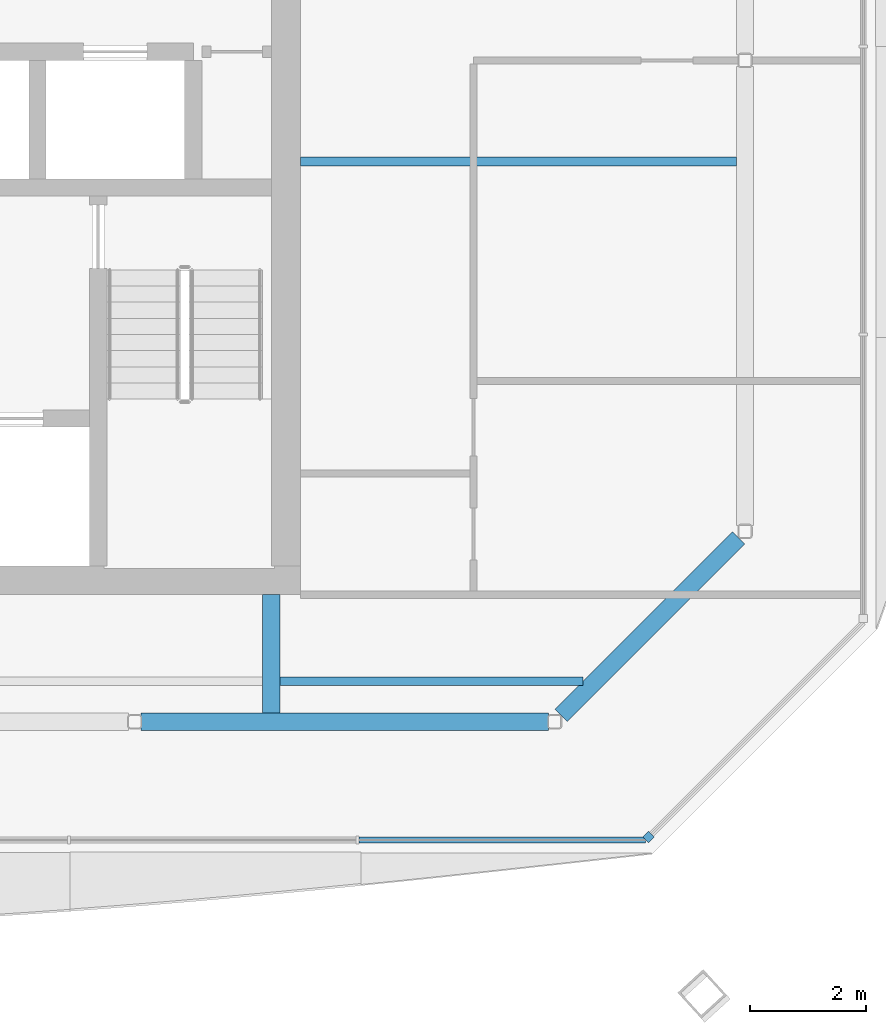
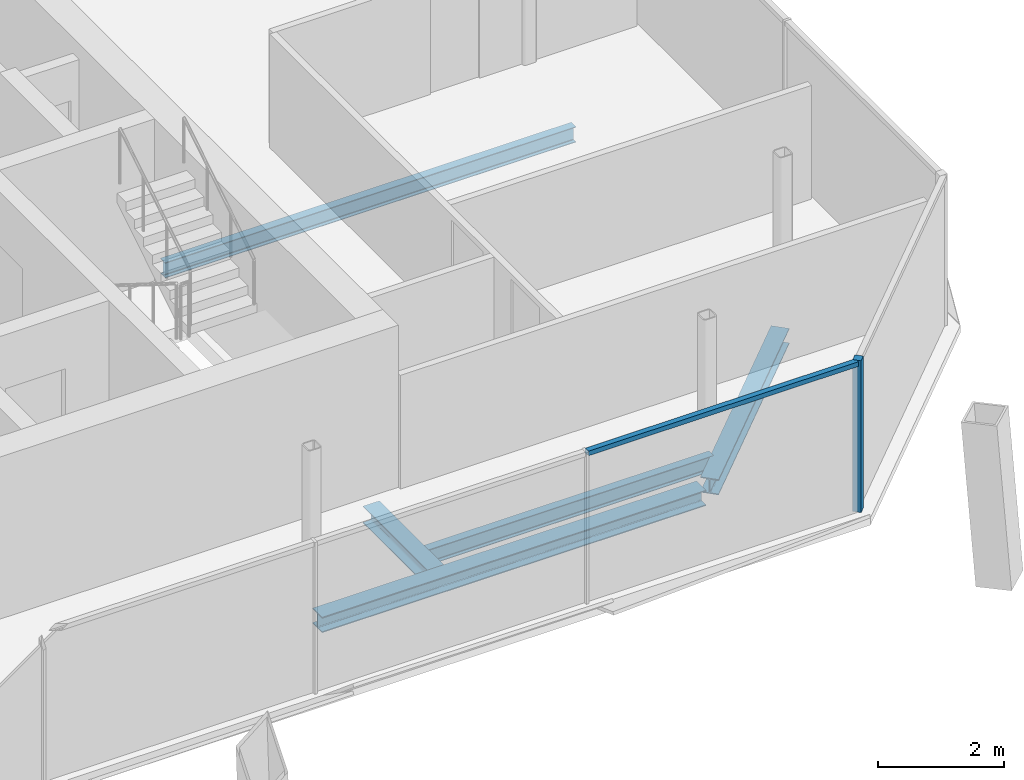
# One storey, part 4 of 14: 5 beams, 2 members, 2 elements without a shape of their own.
"""IFC4 building model written with IfcOpenShell, lengths in metres."""

import ifcopenshell
import ifcopenshell.guid

model = None  # the IFC model being written
_history = None  # IfcOwnerHistory: only IFC2X3 demands one
_inside = {}  # id of a spatial element -> (the spatial element, [elements in it])
_under = {}  # id of a project, library or spatial element -> (it, [spatial elements below it])
_declared = {}  # id of a project -> (the project, [libraries it declares])
_typed = {}  # id of a type object -> (the type object, [elements of that type])
_made_of = {}  # id of a material, layer set ... -> (it, [elements and type objects made of it])


def new_model(schema):
    """Start an empty IFC model of exactly this schema.

    Asked for "IFC4X3", IfcOpenShell would pick the latest addendum, in which some entities
    have other attributes; the version numbers below select the first issue.
    IFC2X3 requires an IfcOwnerHistory on every rooted entity: one is made here for all.
    """
    global model, _history
    if schema == "IFC4X3":
        model = ifcopenshell.file(schema_version=(4, 3, 0, 0))
    else:
        model = ifcopenshell.file(schema=schema)
    _inside.clear()
    _under.clear()
    _declared.clear()
    _typed.clear()
    _made_of.clear()
    _history = None
    if model.schema == "IFC2X3":
        org = make("IfcOrganization", Name="unknown")
        user = make(
            "IfcPersonAndOrganization",
            ThePerson=make("IfcPerson", FamilyName="unknown"),
            TheOrganization=org,
        )
        app = make(
            "IfcApplication",
            ApplicationDeveloper=org,
            Version="unknown",
            ApplicationFullName="unknown",
            ApplicationIdentifier="unknown",
        )
        _history = make(
            "IfcOwnerHistory",
            OwningUser=user,
            OwningApplication=app,
            ChangeAction="ADDED",
            CreationDate=0,
        )
    return model


def make(cls, **values):
    """One entity of the class cls with the attributes given. An attribute that is None is left unset."""
    return model.create_entity(
        cls, **{name: value for name, value in values.items() if value is not None}
    )


def rooted(cls, **values):
    """An entity with a GlobalId (a new one), such as an element, a storey or a relation."""
    return make(cls, GlobalId=ifcopenshell.guid.new(), OwnerHistory=_history, **values)


def si_unit(unit_type, name, prefix=None):
    """IfcSIUnit, for example si_unit("LENGTHUNIT", "METRE", prefix="MILLI")."""
    return make("IfcSIUnit", UnitType=unit_type, Prefix=prefix, Name=name)


def assignment(units):
    """IfcUnitAssignment: the units of a project."""
    return None if units is None else make("IfcUnitAssignment", Units=units)


def point(xyz):
    """IfcCartesianPoint."""
    return None if xyz is None else make("IfcCartesianPoint", Coordinates=xyz)


def direction(xyz):
    """IfcDirection."""
    return None if xyz is None else make("IfcDirection", DirectionRatios=xyz)


def frame(location, z_axis=None, x_axis=None):
    """IfcAxis2Placement3D, a coordinate frame: its origin and axes. An axis left out is left unset."""
    return make(
        "IfcAxis2Placement3D",
        Location=point(location),
        Axis=direction(z_axis),
        RefDirection=direction(x_axis),
    )


def frame_2d(location, x_axis=None):
    """IfcAxis2Placement2D, a coordinate frame in the plane: its origin and x axis."""
    return make(
        "IfcAxis2Placement2D", Location=point(location), RefDirection=direction(x_axis)
    )


def origin():
    """The frame at (0, 0, 0) with its axes left unset."""
    return frame((0.0, 0.0, 0.0))


def origin_2d():
    """The frame at (0, 0) in the plane with its x axis left unset."""
    return frame_2d((0.0, 0.0))


def place(relative_to, where):
    """IfcLocalPlacement: puts the frame where relative to a parent placement (None: the world)."""
    return make(
        "IfcLocalPlacement", PlacementRelTo=relative_to, RelativePlacement=where
    )


def context(
    kind, dimensions, precision=None, world=None, true_north=None, identifier=None
):
    """IfcGeometricRepresentationContext, for example the 3D "Model" context."""
    return make(
        "IfcGeometricRepresentationContext",
        ContextIdentifier=identifier,
        ContextType=kind,
        CoordinateSpaceDimension=dimensions,
        Precision=precision,
        WorldCoordinateSystem=world,
        TrueNorth=true_north,
    )


def subcontext(parent, identifier, kind, view, scale=None):
    """IfcGeometricRepresentationSubContext, for example "Body" below "Model"."""
    return make(
        "IfcGeometricRepresentationSubContext",
        ContextIdentifier=identifier,
        ContextType=kind,
        ParentContext=parent,
        TargetScale=scale,
        TargetView=view,
    )


def project(units=None, contexts=None):
    """IfcProject with its units and contexts."""
    return rooted(
        "IfcProject",
        Name="project",
        RepresentationContexts=contexts,
        UnitsInContext=assignment(units),
    )


def spatial(cls, under=None, at=None, **own):
    """A site, building, storey or space (cls), placed at a placement, below another one or the project."""
    s = rooted(cls, ObjectPlacement=at, **own)
    if under is not None:
        _under.setdefault(under.id(), (under, []))[1].append(s)
    return s


def profile(cls, at=None, kind="AREA", **sizes):
    """A parametric profile (cls). Its sizes go by their IFC names, for example OverallWidth=200.0."""
    return make(cls, ProfileType=kind, Position=at, **sizes)


def rectangle(**sizes):
    """IfcRectangleProfileDef."""
    return profile("IfcRectangleProfileDef", **sizes)


def i_section(**sizes):
    """IfcIShapeProfileDef."""
    return profile("IfcIShapeProfileDef", **sizes)


def extrude(swept, where, along, depth):
    """IfcExtrudedAreaSolid: the profile swept, set in the frame where, extruded along a direction by depth."""
    return make(
        "IfcExtrudedAreaSolid",
        SweptArea=swept,
        Position=where,
        ExtrudedDirection=direction(along),
        Depth=depth,
    )


def shape(context_of_items, identifier, shape_type, items):
    """IfcShapeRepresentation: the items that make up one representation, for example the "Body"."""
    return make(
        "IfcShapeRepresentation",
        ContextOfItems=context_of_items,
        RepresentationIdentifier=identifier,
        RepresentationType=shape_type,
        Items=items,
    )


def material(Name=None, Category=None):
    """IfcMaterial."""
    return make("IfcMaterial", Name=Name, Category=Category)


def material_profile(
    of_material, cross_section, Name=None, Category=None, Priority=None
):
    """IfcMaterialProfile: a cross section and its material."""
    return make(
        "IfcMaterialProfile",
        Name=Name,
        Material=of_material,
        Profile=cross_section,
        Priority=Priority,
        Category=Category,
    )


def profile_set(profiles, Name=None, composite=None):
    """IfcMaterialProfileSet."""
    return make(
        "IfcMaterialProfileSet",
        Name=Name,
        MaterialProfiles=profiles,
        CompositeProfile=composite,
    )


def made_of(thing, what):
    """Note that an element or type object is made of a material, layer set ...; save() writes the relation."""
    if what is not None:
        _made_of.setdefault(what.id(), (what, []))[1].append(thing)
    return thing


def type_object(cls, material=None, **own):
    """A type object (cls), such as IfcWallType, which elements share."""
    return made_of(rooted(cls, **own), material)


def element(
    cls,
    number,
    at=None,
    inside=None,
    cuts=None,
    type_object=None,
    material=None,
    context=None,
    identifier="Body",
    shape_type=None,
    held_by="IfcProductDefinitionShape",
    body=None,
    shapes=None,
    **own,
):
    """One element of the class cls, such as IfcWall. Its Tag is "e" and its number.

    at: its placement. inside: the storey or other place that contains it. cuts: it is an
    opening in that element (IfcRelVoidsElement). A single representation is given by context,
    identifier, shape_type and body (its items); several are given by shapes. held_by: the class
    of the entity that holds the representations. save() writes the other relations.
    """
    e = rooted(cls, Tag="e%d" % number, ObjectPlacement=at, **own)
    if body is not None:
        shapes = [shape(context, identifier, shape_type, body)]
    if shapes is not None:
        e.Representation = make(held_by, Representations=shapes)
    if inside is not None:
        _inside.setdefault(inside.id(), (inside, []))[1].append(e)
    if cuts is not None:
        rooted(
            "IfcRelVoidsElement", RelatingBuildingElement=cuts, RelatedOpeningElement=e
        )
    if type_object is not None:
        _typed.setdefault(type_object.id(), (type_object, []))[1].append(e)
    return made_of(e, material)


def aggregate(whole, parts):
    """IfcRelAggregates: a whole, such as a stair, and the parts it consists of."""
    return rooted("IfcRelAggregates", RelatingObject=whole, RelatedObjects=parts)


def save(model, path):
    """Write the relations noted so far, then the file.

    IfcRelAggregates (storeys below a building ...), IfcRelContainedInSpatialStructure (elements
    in a storey), IfcRelDefinesByType, IfcRelAssociatesMaterial and IfcRelDeclares: one each for
    every whole, place, type object, material and project.
    """
    for whole, parts in _under.values():
        aggregate(whole, parts)
    for where, things in _inside.values():
        rooted(
            "IfcRelContainedInSpatialStructure",
            RelatedElements=things,
            RelatingStructure=where,
        )
    for kind, things in _typed.values():
        rooted("IfcRelDefinesByType", RelatedObjects=things, RelatingType=kind)
    for what, things in _made_of.values():
        rooted("IfcRelAssociatesMaterial", RelatedObjects=things, RelatingMaterial=what)
    for by, libraries in _declared.values():
        rooted("IfcRelDeclares", RelatingContext=by, RelatedDefinitions=libraries)
    model.write(path)


model = new_model("IFC4")

# Units and contexts
model_context = context("Model", 3, precision=1e-05, world=origin(), true_north=direction((0.0, 1.0)))
body_context = subcontext(model_context, "Body", "Model", "MODEL_VIEW")
ifc_project = project(units=[si_unit("LENGTHUNIT", "METRE"), si_unit("AREAUNIT", "SQUARE_METRE"), si_unit("VOLUMEUNIT", "CUBIC_METRE"), si_unit("PLANEANGLEUNIT", "RADIAN"), si_unit("MASSUNIT", "GRAM", prefix="KILO")], contexts=[model_context])

# Site, building, storey
site_placement = place(None, origin())
site = spatial("IfcSite", under=ifc_project, at=site_placement, CompositionType="ELEMENT")
building_placement = place(site_placement, origin())
building = spatial("IfcBuilding", under=site, at=building_placement, Name="Tskaro Facet Tower", CompositionType="ELEMENT")
storey_placement = place(building_placement, frame((0.0, 0.0, 275.25)))
storey = spatial("IfcBuildingStorey", under=building, at=storey_placement, Name="L73", CompositionType="ELEMENT", Elevation=275.25)

# Curtain wall, member
ifc_material_1 = material(Name="Bronze anodised aluminium 6063-T6", Category="aluminium")
curtain_wall_type = type_object("IfcCurtainWallType", Name="Bronze residence curtain wall (FW3)", PredefinedType="NOTDEFINED", material=ifc_material_1)
curtain_wall_1_placement = place(storey_placement, origin())
curtain_wall_1 = element("IfcCurtainWall", 1, at=curtain_wall_1_placement, inside=storey, type_object=curtain_wall_type, Name="FW3 south-east facet L73", PredefinedType="NOTDEFINED")
ifc_material_profile_1 = material_profile(ifc_material_1, rectangle(XDim=0.139892578125, YDim=0.139892578125, at=origin_2d()), Name="Corner post 140x140")
ifc_profile_set_1 = profile_set([ifc_material_profile_1], Name="Bronze anodised aluminium 6063-T6")
member_type_1 = type_object("IfcMemberType", Name="FW3 bronze corner post 140x140", PredefinedType="MULLION", material=ifc_profile_set_1)
member_1_placement = place(storey_placement, frame((15.528564453125, -16.196533203125, 0.0), z_axis=(0.0, 0.0, 1.0), x_axis=(0.707106781187, 0.707106781187, 0.0)))
member_1 = element("IfcMember", 2, at=member_1_placement, type_object=member_type_1, Name="FW3 south-east corner post", PredefinedType="MULLION", context=body_context, shape_type="SweptSolid", body=[
    extrude(rectangle(XDim=0.139892578125, YDim=0.139892578125, at=origin_2d()), origin(), (0.0, 0.0, 1.0), 2.949951171875),
])
aggregate(curtain_wall_1, [member_1])

curtain_wall_2_placement = place(storey_placement, origin())
curtain_wall_2 = element("IfcCurtainWall", 3, at=curtain_wall_2_placement, inside=storey, type_object=curtain_wall_type, Name="FW3 south facet L73", PredefinedType="NOTDEFINED")
ifc_material_profile_2 = material_profile(ifc_material_1, rectangle(XDim=0.10009765625, YDim=0.090087890625, at=origin_2d()), Name="Transom 100x90")
ifc_profile_set_2 = profile_set([ifc_material_profile_2], Name="Bronze anodised aluminium 6063-T6")
member_type_2 = type_object("IfcMemberType", Name="FW3 bronze transom 100x90", PredefinedType="USERDEFINED", material=ifc_profile_set_2)
member_2_placement = place(storey_placement, frame((10.512451171875, -16.24609375, 2.905029296875), z_axis=(1.0, 0.0, 0.0), x_axis=(0.0, 1.0, 0.0)))
member_2 = element("IfcMember", 4, at=member_2_placement, type_object=member_type_2, Name="FW3 south transom 5.1", ObjectType="TRANSOM", PredefinedType="USERDEFINED", context=body_context, shape_type="SweptSolid", body=[
    extrude(rectangle(XDim=0.10009765625, YDim=0.090087890625, at=origin_2d()), origin(), (0.0, 0.0, 1.0), 4.966552734375),
])
aggregate(curtain_wall_2, [member_2])

# Beams
ifc_material_2 = material(Name="Steel S355J2", Category="steel")
ifc_material_profile_3 = material_profile(ifc_material_2, i_section(OverallWidth=0.300048828125, OverallDepth=0.300048828125, WebThickness=0.010986328125, FlangeThickness=0.01904296875, FilletRadius=0.027099609375, at=origin_2d()), Name="HE 300 B")
ifc_profile_set_3 = profile_set([ifc_material_profile_3], Name="Steel S355J2")
beam_type_1 = type_object("IfcBeamType", Name="HE 300 B ring beam", PredefinedType="BEAM", material=ifc_profile_set_3)
beam_1_placement = place(storey_placement, frame((6.739013671875, -14.199951171875, -0.2900390625), z_axis=(1.0, 0.0, 0.0), x_axis=(0.0, 1.0, 0.0)))
element("IfcBeam", 5, at=beam_1_placement, inside=storey, type_object=beam_type_1, Name="HE 300 B EB3-6", PredefinedType="BEAM", context=body_context, shape_type="SweptSolid", body=[
    extrude(i_section(OverallWidth=0.300048828125, OverallDepth=0.300048828125, WebThickness=0.010986328125, FlangeThickness=0.01904296875, FilletRadius=0.027099609375, at=origin_2d()), origin(), (0.0, 0.0, 1.0), 7.05908203125),
])
beam_2_placement = place(storey_placement, frame((14.013916015625, -14.089111328125, -0.2900390625), z_axis=(0.707106781187, 0.707106781187, 0.0), x_axis=(-0.707106781187, 0.707106781187, 0.0)))
element("IfcBeam", 6, at=beam_2_placement, inside=storey, type_object=beam_type_1, Name="HE 300 B EB4-6", PredefinedType="BEAM", context=body_context, shape_type="SweptSolid", body=[
    extrude(i_section(OverallWidth=0.300048828125, OverallDepth=0.300048828125, WebThickness=0.010986328125, FlangeThickness=0.01904296875, FilletRadius=0.027099609375, at=origin_2d()), origin(), (0.0, 0.0, 1.0), 4.348876953125),
])
ifc_material_profile_4 = material_profile(ifc_material_2, i_section(OverallWidth=0.300048828125, OverallDepth=0.330078125, WebThickness=0.009521484375, FlangeThickness=0.0166015625, FilletRadius=0.027099609375, at=origin_2d()), Name="HE 340 A")
ifc_profile_set_4 = profile_set([ifc_material_profile_4], Name="Steel S355J2")
beam_type_2 = type_object("IfcBeamType", Name="HE 340 A girder", PredefinedType="BEAM", material=ifc_profile_set_4)
beam_3_placement = place(storey_placement, frame((9.0, -14.050048828125, -0.304931640625), z_axis=(0.0, 1.0, 0.0), x_axis=(-1.0, 0.0, 0.0)))
element("IfcBeam", 7, at=beam_3_placement, inside=storey, type_object=beam_type_2, Name="HE 340 A GB5-1-6", PredefinedType="BEAM", context=body_context, shape_type="SweptSolid", body=[
    extrude(i_section(OverallWidth=0.300048828125, OverallDepth=0.330078125, WebThickness=0.009521484375, FlangeThickness=0.0166015625, FilletRadius=0.027099609375, at=origin_2d()), origin(), (0.0, 0.0, 1.0), 2.050048828125),
])
ifc_material_profile_5 = material_profile(ifc_material_2, i_section(OverallWidth=0.14990234375, OverallDepth=0.300048828125, WebThickness=0.007080078125, FlangeThickness=0.0107421875, FilletRadius=0.014892578125, at=origin_2d()), Name="IPE 300")
ifc_profile_set_5 = profile_set([ifc_material_profile_5], Name="Steel S355J2")
beam_type_3 = type_object("IfcBeamType", Name="IPE 300 secondary beam", PredefinedType="BEAM", material=ifc_profile_set_5)
beam_4_placement = place(storey_placement, frame((9.14990234375, -13.5, -0.2900390625), z_axis=(1.0, 0.0, 0.0), x_axis=(0.0, 1.0, 0.0)))
element("IfcBeam", 8, at=beam_4_placement, inside=storey, type_object=beam_type_3, Name="IPE 300 SB2a-3-6", PredefinedType="BEAM", context=body_context, shape_type="SweptSolid", body=[
    extrude(i_section(OverallWidth=0.14990234375, OverallDepth=0.300048828125, WebThickness=0.007080078125, FlangeThickness=0.0107421875, FilletRadius=0.014892578125, at=origin_2d()), origin(), (0.0, 0.0, 1.0), 5.2412109375),
])
beam_5_placement = place(storey_placement, frame((9.5, -4.5, -0.2900390625), z_axis=(1.0, 0.0, 0.0), x_axis=(0.0, 1.0, 0.0)))
element("IfcBeam", 9, at=beam_5_placement, inside=storey, type_object=beam_type_3, Name="IPE 300 SB3a-2-6", PredefinedType="BEAM", context=body_context, shape_type="SweptSolid", body=[
    extrude(i_section(OverallWidth=0.14990234375, OverallDepth=0.300048828125, WebThickness=0.007080078125, FlangeThickness=0.0107421875, FilletRadius=0.014892578125, at=origin_2d()), origin(), (0.0, 0.0, 1.0), 7.550048828125),
])

save(model, "model.ifc")
